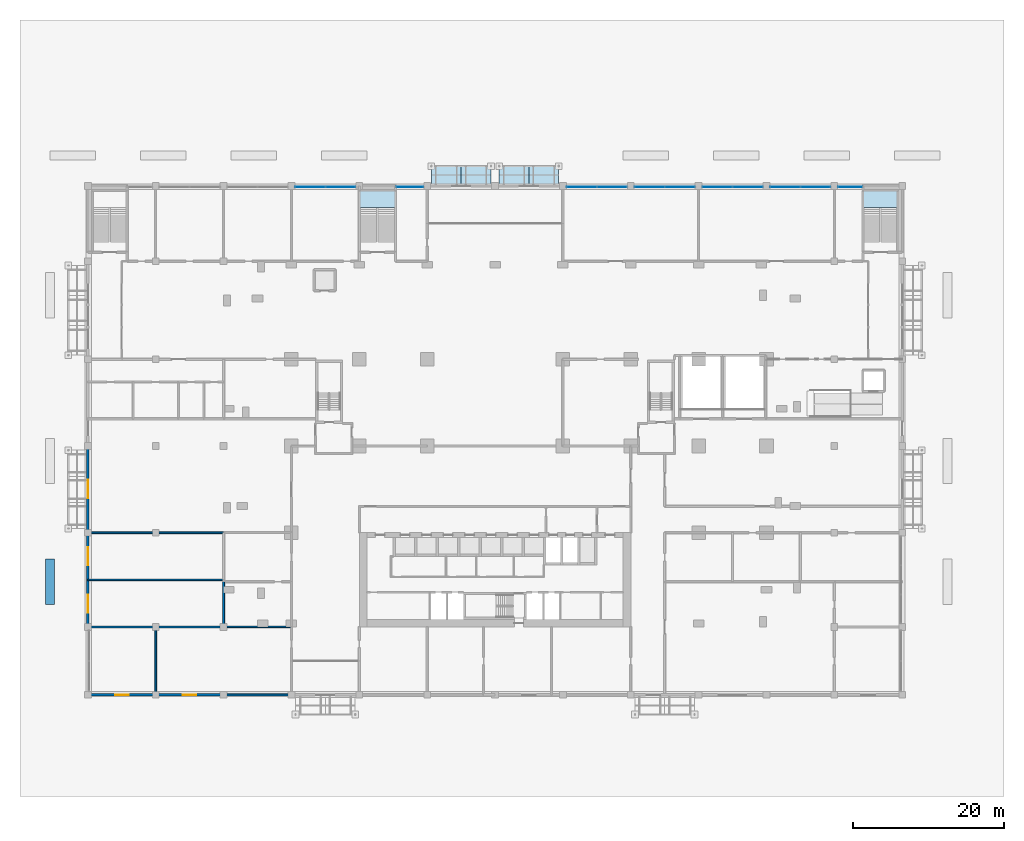
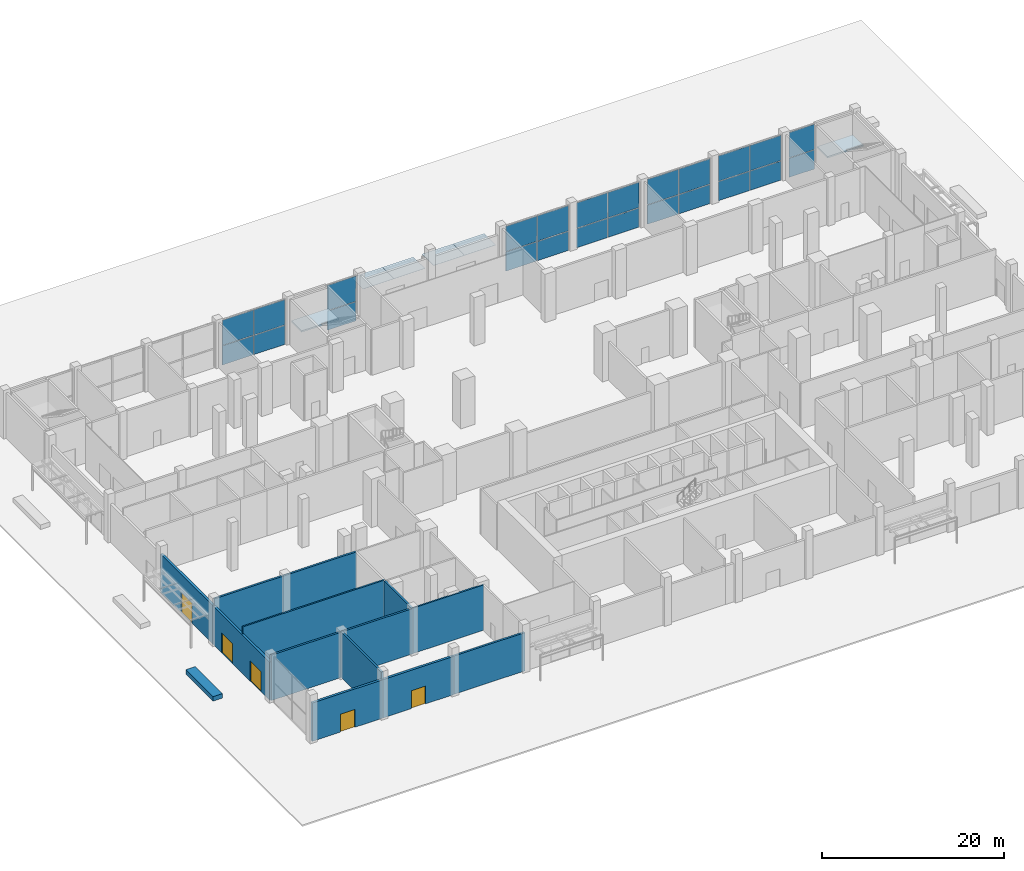
# One storey, part 28 of 39: 28 plates, 13 walls, 5 doors, 2 slabs, 5 openings, 11 elements without a shape of their own.
"""IFC4 building model written with IfcOpenShell, lengths in metres."""

from ifc_helpers import new_model, si_unit, direction, frame, frame_2d, origin, origin_with_axes, origin_2d, place, context, subcontext, project, spatial, polyline, rectangle, outline, extrude, material, layer, layer_set, type_object, element, fill, aggregate, save


model = new_model("IFC4")

# Units and contexts
model_context = context("Model", 3, precision=1e-05, world=origin(), true_north=direction((0.0, 1.0)))
body_context = subcontext(model_context, "Body", "Model", "MODEL_VIEW")
ifc_project = project(units=[si_unit("LENGTHUNIT", "METRE"), si_unit("AREAUNIT", "SQUARE_METRE"), si_unit("VOLUMEUNIT", "CUBIC_METRE"), si_unit("PLANEANGLEUNIT", "RADIAN"), si_unit("MASSUNIT", "GRAM", prefix="KILO")], contexts=[model_context])

# Site, building, storey
site_placement = place(None, origin())
site = spatial("IfcSite", under=ifc_project, at=site_placement, CompositionType="ELEMENT")
building_placement = place(site_placement, origin())
building = spatial("IfcBuilding", under=site, at=building_placement, Name="Brigalow Station Residences", CompositionType="ELEMENT")
storey_placement = place(building_placement, origin())
storey = spatial("IfcBuildingStorey", under=building, at=storey_placement, Name="L00", CompositionType="ELEMENT", Elevation=0.0)

# Curtain wall, plates
ifc_material_1 = material(Name="Laminated heat-strengthened glass", Category="glass")
ifc_layer_1 = layer(ifc_material_1, 0.02197265625)
ifc_layer_set_1 = layer_set([ifc_layer_1], Name="ENTRANCE CANOPY GLAZING CURTAIN WALL")
curtain_wall_type_1 = type_object("IfcCurtainWallType", Name="ENTRANCE CANOPY GLAZING CURTAIN WALL", PredefinedType="NOTDEFINED", material=ifc_layer_set_1)
curtain_wall_1_placement = place(storey_placement, origin())
curtain_wall_1 = element("IfcCurtainWall", 1, at=curtain_wall_1_placement, inside=storey, type_object=curtain_wall_type_1, Name="L00/canopy-cw/N-entry-e", PredefinedType="NOTDEFINED")
ifc_material_2 = material(Name="Laminated heat-strengthened glass", Category="glass")
ifc_layer_2 = layer(ifc_material_2, 0.02197265625)
ifc_layer_set_2 = layer_set([ifc_layer_2], Name="ENTRANCE CANOPY GLAZING PANEL 22")
plate_type_1 = type_object("IfcPlateType", Name="ENTRANCE CANOPY GLAZING PANEL 22", PredefinedType="CURTAIN_PANEL", material=ifc_layer_set_2)
plate_1_placement = place(storey_placement, frame((38.52490234375, 59.925048828125, 3.677978515625), z_axis=(0.0, 0.0, 1.0), x_axis=(1.0, 0.0, 0.0)))
plate_1 = element("IfcPlate", 2, at=plate_1_placement, type_object=plate_type_1, Name="L00/canopy/N-entry-e-1", PredefinedType="CURTAIN_PANEL", context=body_context, shape_type="SweptSolid", body=[
    extrude(rectangle(XDim=3.949951171875, YDim=2.550048828125, at=origin_2d()), origin(), (0.0, 0.0, 1.0), 0.02197265625),
])
plate_2_placement = place(storey_placement, frame((42.47509765625, 59.925048828125, 3.677978515625), z_axis=(0.0, 0.0, 1.0), x_axis=(1.0, 0.0, 0.0)))
plate_2 = element("IfcPlate", 3, at=plate_2_placement, type_object=plate_type_1, Name="L00/canopy/N-entry-e-2", PredefinedType="CURTAIN_PANEL", context=body_context, shape_type="SweptSolid", body=[
    extrude(rectangle(XDim=3.949951171875, YDim=2.550048828125, at=origin_2d()), origin(), (0.0, 0.0, 1.0), 0.02197265625),
])
aggregate(curtain_wall_1, [plate_1, plate_2])

curtain_wall_2_placement = place(storey_placement, origin())
curtain_wall_2 = element("IfcCurtainWall", 4, at=curtain_wall_2_placement, inside=storey, type_object=curtain_wall_type_1, Name="L00/canopy-cw/N-entry-w", PredefinedType="NOTDEFINED")
plate_3_placement = place(storey_placement, frame((29.52490234375, 59.925048828125, 3.677978515625), z_axis=(0.0, 0.0, 1.0), x_axis=(1.0, 0.0, 0.0)))
plate_3 = element("IfcPlate", 5, at=plate_3_placement, type_object=plate_type_1, Name="L00/canopy/N-entry-w-1", PredefinedType="CURTAIN_PANEL", context=body_context, shape_type="SweptSolid", body=[
    extrude(rectangle(XDim=3.949951171875, YDim=2.550048828125, at=origin_2d()), origin(), (0.0, 0.0, 1.0), 0.02197265625),
])
plate_4_placement = place(storey_placement, frame((33.47509765625, 59.925048828125, 3.677978515625), z_axis=(0.0, 0.0, 1.0), x_axis=(1.0, 0.0, 0.0)))
plate_4 = element("IfcPlate", 6, at=plate_4_placement, type_object=plate_type_1, Name="L00/canopy/N-entry-w-2", PredefinedType="CURTAIN_PANEL", context=body_context, shape_type="SweptSolid", body=[
    extrude(rectangle(XDim=3.949951171875, YDim=2.550048828125, at=origin_2d()), origin(), (0.0, 0.0, 1.0), 0.02197265625),
])
aggregate(curtain_wall_2, [plate_3, plate_4])

# Stair, slab
ifc_material_3 = material(Name="Concrete C50", Category="concrete")
stair_type_1 = type_object("IfcStairType", Name="STAIR EXIT 2087 2 FLIGHTS", PredefinedType="TWO_STRAIGHT_RUN_STAIR", material=ifc_material_3)
stair_1_placement = place(storey_placement, origin())
stair_1 = element("IfcStair", 7, at=stair_1_placement, inside=storey, type_object=stair_type_1, Name="Exit stair ST-5", PredefinedType="TWO_STRAIGHT_RUN_STAIR")
ifc_material_4 = material(Name="Concrete C50", Category="concrete")
ifc_layer_3 = layer(ifc_material_4, 0.199951171875)
ifc_layer_set_3 = layer_set([ifc_layer_3], Name="STAIR LANDING")
slab_type = type_object("IfcSlabType", Name="STAIR LANDING", PredefinedType="LANDING", material=ifc_layer_set_3)
slab_1_placement = place(storey_placement, frame((0.0, 0.0, 3.050048828125)))
slab_1 = element("IfcSlab", 8, at=slab_1_placement, type_object=slab_type, Name="ST-5 landing 1", PredefinedType="LANDING", context=body_context, shape_type="SweptSolid", body=[
    extrude(outline(polyline([(84.824951171875, 55.614990234375), (89.39990234375, 55.614990234375), (89.39990234375, 57.89990234375), (84.824951171875, 57.89990234375), (84.824951171875, 55.614990234375)])), origin(), (0.0, 0.0, 1.0), 0.199951171875),
])
aggregate(stair_1, [slab_1])

ifc_material_5 = material(Name="Concrete C50", Category="concrete")
stair_type_2 = type_object("IfcStairType", Name="STAIR EXIT 2175 2 FLIGHTS", PredefinedType="TWO_STRAIGHT_RUN_STAIR", material=ifc_material_5)
stair_2_placement = place(storey_placement, origin())
stair_2 = element("IfcStair", 9, at=stair_2_placement, inside=storey, type_object=stair_type_2, Name="Exit stair ST-6", PredefinedType="TWO_STRAIGHT_RUN_STAIR")
slab_2_placement = place(storey_placement, frame((0.0, 0.0, 3.050048828125)))
slab_2 = element("IfcSlab", 10, at=slab_2_placement, type_object=slab_type, Name="ST-6 landing 1", PredefinedType="LANDING", context=body_context, shape_type="SweptSolid", body=[
    extrude(outline(polyline([(18.02490234375, 55.614990234375), (22.77490234375, 55.614990234375), (22.77490234375, 57.89990234375), (18.02490234375, 57.89990234375), (18.02490234375, 55.614990234375)])), origin(), (0.0, 0.0, 1.0), 0.199951171875),
])
aggregate(stair_2, [slab_2])

# Curtain wall, plates
ifc_material_6 = material(Name="Aluminium", Category="aluminium")
ifc_layer_4 = layer(ifc_material_6, 0.179931640625)
ifc_layer_set_4 = layer_set([ifc_layer_4], Name="STATION CONCOURSE SHOPFRONT GLAZING CURTAIN WALL")
curtain_wall_type_2 = type_object("IfcCurtainWallType", Name="STATION CONCOURSE SHOPFRONT GLAZING CURTAIN WALL", PredefinedType="NOTDEFINED", material=ifc_layer_set_4)
curtain_wall_3_placement = place(storey_placement, origin())
curtain_wall_3 = element("IfcCurtainWall", 11, at=curtain_wall_3_placement, inside=storey, type_object=curtain_wall_type_2, Name="L00/cw/podium-W-L00-19-3", PredefinedType="NOTDEFINED")
ifc_material_7 = material(Name="Toughened laminated structural glazing, 6.1 m storey", Category="glass")
ifc_layer_5 = layer(ifc_material_7, 0.06005859375)
ifc_layer_set_5 = layer_set([ifc_layer_5], Name="STATION CONCOURSE SHOPFRONT GLAZING PANEL 60")
plate_type_2 = type_object("IfcPlateType", Name="STATION CONCOURSE SHOPFRONT GLAZING PANEL 60", PredefinedType="CURTAIN_PANEL", material=ifc_layer_set_5)
plate_5_placement = place(storey_placement, frame((83.125, 58.35009765625, 0.0), z_axis=(0.0, 0.0, 1.0), x_axis=(-1.0, 0.0, 0.0)))
plate_5 = element("IfcPlate", 12, at=plate_5_placement, type_object=plate_type_2, Name="L00/cw/podium-W-L00-19-3/P00-00", PredefinedType="CURTAIN_PANEL", context=body_context, shape_type="SweptSolid", body=[
    extrude(rectangle(XDim=3.199951171875, YDim=0.06005859375, at=origin_2d()), origin(), (0.0, 0.0, 1.0), 2.5625),
])
plate_6_placement = place(storey_placement, frame((83.125, 58.35009765625, 2.6376953125), z_axis=(0.0, 0.0, 1.0), x_axis=(-1.0, 0.0, 0.0)))
plate_6 = element("IfcPlate", 13, at=plate_6_placement, type_object=plate_type_2, Name="L00/cw/podium-W-L00-19-3/P00-01", PredefinedType="CURTAIN_PANEL", context=body_context, shape_type="SweptSolid", body=[
    extrude(rectangle(XDim=3.199951171875, YDim=0.06005859375, at=origin_2d()), origin(), (0.0, 0.0, 1.0), 3.385498046875),
])
aggregate(curtain_wall_3, [plate_5, plate_6])

curtain_wall_4_placement = place(storey_placement, origin())
curtain_wall_4 = element("IfcCurtainWall", 14, at=curtain_wall_4_placement, inside=storey, type_object=curtain_wall_type_2, Name="L00/cw/podium-W-L00-19-4", PredefinedType="NOTDEFINED")
plate_7_placement = place(storey_placement, frame((78.506103515625, 58.35009765625, 0.0), z_axis=(0.0, 0.0, 1.0), x_axis=(-1.0, 0.0, 0.0)))
plate_7 = element("IfcPlate", 15, at=plate_7_placement, type_object=plate_type_2, Name="L00/cw/podium-W-L00-19-4/P00-00", PredefinedType="CURTAIN_PANEL", context=body_context, shape_type="SweptSolid", body=[
    extrude(rectangle(XDim=3.9375, YDim=0.06005859375, at=origin_2d()), origin(), (0.0, 0.0, 1.0), 2.5625),
])
plate_8_placement = place(storey_placement, frame((78.506103515625, 58.35009765625, 2.6376953125), z_axis=(0.0, 0.0, 1.0), x_axis=(-1.0, 0.0, 0.0)))
plate_8 = element("IfcPlate", 16, at=plate_8_placement, type_object=plate_type_2, Name="L00/cw/podium-W-L00-19-4/P00-01", PredefinedType="CURTAIN_PANEL", context=body_context, shape_type="SweptSolid", body=[
    extrude(rectangle(XDim=3.9375, YDim=0.06005859375, at=origin_2d()), origin(), (0.0, 0.0, 1.0), 3.385498046875),
])
plate_9_placement = place(storey_placement, frame((74.493896484375, 58.35009765625, 0.0), z_axis=(0.0, 0.0, 1.0), x_axis=(-1.0, 0.0, 0.0)))
plate_9 = element("IfcPlate", 17, at=plate_9_placement, type_object=plate_type_2, Name="L00/cw/podium-W-L00-19-4/P01-00", PredefinedType="CURTAIN_PANEL", context=body_context, shape_type="SweptSolid", body=[
    extrude(rectangle(XDim=3.9375, YDim=0.06005859375, at=origin_2d()), origin(), (0.0, 0.0, 1.0), 2.5625),
])
plate_10_placement = place(storey_placement, frame((74.493896484375, 58.35009765625, 2.6376953125), z_axis=(0.0, 0.0, 1.0), x_axis=(-1.0, 0.0, 0.0)))
plate_10 = element("IfcPlate", 18, at=plate_10_placement, type_object=plate_type_2, Name="L00/cw/podium-W-L00-19-4/P01-01", PredefinedType="CURTAIN_PANEL", context=body_context, shape_type="SweptSolid", body=[
    extrude(rectangle(XDim=3.9375, YDim=0.06005859375, at=origin_2d()), origin(), (0.0, 0.0, 1.0), 3.385498046875),
])
aggregate(curtain_wall_4, [plate_7, plate_8, plate_9, plate_10])

curtain_wall_5_placement = place(storey_placement, origin())
curtain_wall_5 = element("IfcCurtainWall", 19, at=curtain_wall_5_placement, inside=storey, type_object=curtain_wall_type_2, Name="L00/cw/podium-W-L00-19-5", PredefinedType="NOTDEFINED")
plate_11_placement = place(storey_placement, frame((69.506103515625, 58.35009765625, 0.0), z_axis=(0.0, 0.0, 1.0), x_axis=(-1.0, 0.0, 0.0)))
plate_11 = element("IfcPlate", 20, at=plate_11_placement, type_object=plate_type_2, Name="L00/cw/podium-W-L00-19-5/P00-00", PredefinedType="CURTAIN_PANEL", context=body_context, shape_type="SweptSolid", body=[
    extrude(rectangle(XDim=3.9375, YDim=0.06005859375, at=origin_2d()), origin(), (0.0, 0.0, 1.0), 2.5625),
])
plate_12_placement = place(storey_placement, frame((69.506103515625, 58.35009765625, 2.6376953125), z_axis=(0.0, 0.0, 1.0), x_axis=(-1.0, 0.0, 0.0)))
plate_12 = element("IfcPlate", 21, at=plate_12_placement, type_object=plate_type_2, Name="L00/cw/podium-W-L00-19-5/P00-01", PredefinedType="CURTAIN_PANEL", context=body_context, shape_type="SweptSolid", body=[
    extrude(rectangle(XDim=3.9375, YDim=0.06005859375, at=origin_2d()), origin(), (0.0, 0.0, 1.0), 3.385498046875),
])
plate_13_placement = place(storey_placement, frame((65.493896484375, 58.35009765625, 0.0), z_axis=(0.0, 0.0, 1.0), x_axis=(-1.0, 0.0, 0.0)))
plate_13 = element("IfcPlate", 22, at=plate_13_placement, type_object=plate_type_2, Name="L00/cw/podium-W-L00-19-5/P01-00", PredefinedType="CURTAIN_PANEL", context=body_context, shape_type="SweptSolid", body=[
    extrude(rectangle(XDim=3.9375, YDim=0.06005859375, at=origin_2d()), origin(), (0.0, 0.0, 1.0), 2.5625),
])
plate_14_placement = place(storey_placement, frame((65.493896484375, 58.35009765625, 2.6376953125), z_axis=(0.0, 0.0, 1.0), x_axis=(-1.0, 0.0, 0.0)))
plate_14 = element("IfcPlate", 23, at=plate_14_placement, type_object=plate_type_2, Name="L00/cw/podium-W-L00-19-5/P01-01", PredefinedType="CURTAIN_PANEL", context=body_context, shape_type="SweptSolid", body=[
    extrude(rectangle(XDim=3.9375, YDim=0.06005859375, at=origin_2d()), origin(), (0.0, 0.0, 1.0), 3.385498046875),
])
aggregate(curtain_wall_5, [plate_11, plate_12, plate_13, plate_14])

curtain_wall_6_placement = place(storey_placement, origin())
curtain_wall_6 = element("IfcCurtainWall", 24, at=curtain_wall_6_placement, inside=storey, type_object=curtain_wall_type_2, Name="L00/cw/podium-W-L00-19-6", PredefinedType="NOTDEFINED")
plate_15_placement = place(storey_placement, frame((60.50634765625, 58.35009765625, 0.0), z_axis=(0.0, 0.0, 1.0), x_axis=(-1.0, 0.0, 0.0)))
plate_15 = element("IfcPlate", 25, at=plate_15_placement, type_object=plate_type_2, Name="L00/cw/podium-W-L00-19-6/P00-00", PredefinedType="CURTAIN_PANEL", context=body_context, shape_type="SweptSolid", body=[
    extrude(rectangle(XDim=3.9375, YDim=0.06005859375, at=origin_2d()), origin(), (0.0, 0.0, 1.0), 2.5625),
])
plate_16_placement = place(storey_placement, frame((60.50634765625, 58.35009765625, 2.6376953125), z_axis=(0.0, 0.0, 1.0), x_axis=(-1.0, 0.0, 0.0)))
plate_16 = element("IfcPlate", 26, at=plate_16_placement, type_object=plate_type_2, Name="L00/cw/podium-W-L00-19-6/P00-01", PredefinedType="CURTAIN_PANEL", context=body_context, shape_type="SweptSolid", body=[
    extrude(rectangle(XDim=3.9375, YDim=0.06005859375, at=origin_2d()), origin(), (0.0, 0.0, 1.0), 3.385498046875),
])
plate_17_placement = place(storey_placement, frame((56.49365234375, 58.35009765625, 0.0), z_axis=(0.0, 0.0, 1.0), x_axis=(-1.0, 0.0, 0.0)))
plate_17 = element("IfcPlate", 27, at=plate_17_placement, type_object=plate_type_2, Name="L00/cw/podium-W-L00-19-6/P01-00", PredefinedType="CURTAIN_PANEL", context=body_context, shape_type="SweptSolid", body=[
    extrude(rectangle(XDim=3.9375, YDim=0.06005859375, at=origin_2d()), origin(), (0.0, 0.0, 1.0), 2.5625),
])
plate_18_placement = place(storey_placement, frame((56.49365234375, 58.35009765625, 2.6376953125), z_axis=(0.0, 0.0, 1.0), x_axis=(-1.0, 0.0, 0.0)))
plate_18 = element("IfcPlate", 28, at=plate_18_placement, type_object=plate_type_2, Name="L00/cw/podium-W-L00-19-6/P01-01", PredefinedType="CURTAIN_PANEL", context=body_context, shape_type="SweptSolid", body=[
    extrude(rectangle(XDim=3.9375, YDim=0.06005859375, at=origin_2d()), origin(), (0.0, 0.0, 1.0), 3.385498046875),
])
aggregate(curtain_wall_6, [plate_15, plate_16, plate_17, plate_18])

curtain_wall_7_placement = place(storey_placement, origin())
curtain_wall_7 = element("IfcCurtainWall", 29, at=curtain_wall_7_placement, inside=storey, type_object=curtain_wall_type_2, Name="L00/cw/podium-W-L00-19-7", PredefinedType="NOTDEFINED")
plate_19_placement = place(storey_placement, frame((51.50634765625, 58.35009765625, 0.0), z_axis=(0.0, 0.0, 1.0), x_axis=(-1.0, 0.0, 0.0)))
plate_19 = element("IfcPlate", 30, at=plate_19_placement, type_object=plate_type_2, Name="L00/cw/podium-W-L00-19-7/P00-00", PredefinedType="CURTAIN_PANEL", context=body_context, shape_type="SweptSolid", body=[
    extrude(rectangle(XDim=3.9375, YDim=0.06005859375, at=origin_2d()), origin(), (0.0, 0.0, 1.0), 2.5625),
])
plate_20_placement = place(storey_placement, frame((51.50634765625, 58.35009765625, 2.6376953125), z_axis=(0.0, 0.0, 1.0), x_axis=(-1.0, 0.0, 0.0)))
plate_20 = element("IfcPlate", 31, at=plate_20_placement, type_object=plate_type_2, Name="L00/cw/podium-W-L00-19-7/P00-01", PredefinedType="CURTAIN_PANEL", context=body_context, shape_type="SweptSolid", body=[
    extrude(rectangle(XDim=3.9375, YDim=0.06005859375, at=origin_2d()), origin(), (0.0, 0.0, 1.0), 3.385498046875),
])
plate_21_placement = place(storey_placement, frame((47.49365234375, 58.35009765625, 0.0), z_axis=(0.0, 0.0, 1.0), x_axis=(-1.0, 0.0, 0.0)))
plate_21 = element("IfcPlate", 32, at=plate_21_placement, type_object=plate_type_2, Name="L00/cw/podium-W-L00-19-7/P01-00", PredefinedType="CURTAIN_PANEL", context=body_context, shape_type="SweptSolid", body=[
    extrude(rectangle(XDim=3.9375, YDim=0.06005859375, at=origin_2d()), origin(), (0.0, 0.0, 1.0), 2.5625),
])
plate_22_placement = place(storey_placement, frame((47.49365234375, 58.35009765625, 2.6376953125), z_axis=(0.0, 0.0, 1.0), x_axis=(-1.0, 0.0, 0.0)))
plate_22 = element("IfcPlate", 33, at=plate_22_placement, type_object=plate_type_2, Name="L00/cw/podium-W-L00-19-7/P01-01", PredefinedType="CURTAIN_PANEL", context=body_context, shape_type="SweptSolid", body=[
    extrude(rectangle(XDim=3.9375, YDim=0.06005859375, at=origin_2d()), origin(), (0.0, 0.0, 1.0), 3.385498046875),
])
aggregate(curtain_wall_7, [plate_19, plate_20, plate_21, plate_22])

curtain_wall_8_placement = place(storey_placement, origin())
curtain_wall_8 = element("IfcCurtainWall", 34, at=curtain_wall_8_placement, inside=storey, type_object=curtain_wall_type_2, Name="L00/cw/podium-W-L00-19-8", PredefinedType="NOTDEFINED")
plate_23_placement = place(storey_placement, frame((24.675048828125, 58.35009765625, 0.0), z_axis=(0.0, 0.0, 1.0), x_axis=(-1.0, 0.0, 0.0)))
plate_23 = element("IfcPlate", 35, at=plate_23_placement, type_object=plate_type_2, Name="L00/cw/podium-W-L00-19-8/P00-00", PredefinedType="CURTAIN_PANEL", context=body_context, shape_type="SweptSolid", body=[
    extrude(rectangle(XDim=3.60009765625, YDim=0.06005859375, at=origin_2d()), origin(), (0.0, 0.0, 1.0), 2.5625),
])
plate_24_placement = place(storey_placement, frame((24.675048828125, 58.35009765625, 2.6376953125), z_axis=(0.0, 0.0, 1.0), x_axis=(-1.0, 0.0, 0.0)))
plate_24 = element("IfcPlate", 36, at=plate_24_placement, type_object=plate_type_2, Name="L00/cw/podium-W-L00-19-8/P00-01", PredefinedType="CURTAIN_PANEL", context=body_context, shape_type="SweptSolid", body=[
    extrude(rectangle(XDim=3.60009765625, YDim=0.06005859375, at=origin_2d()), origin(), (0.0, 0.0, 1.0), 3.385498046875),
])
aggregate(curtain_wall_8, [plate_23, plate_24])

curtain_wall_9_placement = place(storey_placement, origin())
curtain_wall_9 = element("IfcCurtainWall", 37, at=curtain_wall_9_placement, inside=storey, type_object=curtain_wall_type_2, Name="L00/cw/podium-W-L00-19-9", PredefinedType="NOTDEFINED")
plate_25_placement = place(storey_placement, frame((15.506103515625, 58.35009765625, 0.0), z_axis=(0.0, 0.0, 1.0), x_axis=(-1.0, 0.0, 0.0)))
plate_25 = element("IfcPlate", 38, at=plate_25_placement, type_object=plate_type_2, Name="L00/cw/podium-W-L00-19-9/P00-00", PredefinedType="CURTAIN_PANEL", context=body_context, shape_type="SweptSolid", body=[
    extrude(rectangle(XDim=3.9375, YDim=0.06005859375, at=origin_2d()), origin(), (0.0, 0.0, 1.0), 2.5625),
])
plate_26_placement = place(storey_placement, frame((15.506103515625, 58.35009765625, 2.6376953125), z_axis=(0.0, 0.0, 1.0), x_axis=(-1.0, 0.0, 0.0)))
plate_26 = element("IfcPlate", 39, at=plate_26_placement, type_object=plate_type_2, Name="L00/cw/podium-W-L00-19-9/P00-01", PredefinedType="CURTAIN_PANEL", context=body_context, shape_type="SweptSolid", body=[
    extrude(rectangle(XDim=3.9375, YDim=0.06005859375, at=origin_2d()), origin(), (0.0, 0.0, 1.0), 3.385498046875),
])
plate_27_placement = place(storey_placement, frame((11.49365234375, 58.35009765625, 0.0), z_axis=(0.0, 0.0, 1.0), x_axis=(-1.0, 0.0, 0.0)))
plate_27 = element("IfcPlate", 40, at=plate_27_placement, type_object=plate_type_2, Name="L00/cw/podium-W-L00-19-9/P01-00", PredefinedType="CURTAIN_PANEL", context=body_context, shape_type="SweptSolid", body=[
    extrude(rectangle(XDim=3.9375, YDim=0.06005859375, at=origin_2d()), origin(), (0.0, 0.0, 1.0), 2.5625),
])
plate_28_placement = place(storey_placement, frame((11.49365234375, 58.35009765625, 2.6376953125), z_axis=(0.0, 0.0, 1.0), x_axis=(-1.0, 0.0, 0.0)))
plate_28 = element("IfcPlate", 41, at=plate_28_placement, type_object=plate_type_2, Name="L00/cw/podium-W-L00-19-9/P01-01", PredefinedType="CURTAIN_PANEL", context=body_context, shape_type="SweptSolid", body=[
    extrude(rectangle(XDim=3.9375, YDim=0.06005859375, at=origin_2d()), origin(), (0.0, 0.0, 1.0), 3.385498046875),
])
aggregate(curtain_wall_9, [plate_25, plate_26, plate_27, plate_28])

# Wall, opening, door
ifc_material_8 = material(Name="Glass and aluminium shopfront on a masonry base", Category="masonry")
ifc_layer_6 = layer(ifc_material_8, 0.300048828125)
ifc_layer_set_6 = layer_set([ifc_layer_6], Name="ENTRANCE INFILL 300")
wall_type_1 = type_object("IfcWallType", Name="ENTRANCE INFILL 300", PredefinedType="SOLIDWALL", material=ifc_layer_set_6)
wall_1_placement = place(storey_placement, frame((-9.0, -9.0, 0.0), z_axis=(0.0, 0.0, 1.0), x_axis=(1.0, 0.0, 0.0)))
wall_1 = element("IfcWall", 42, at=wall_1_placement, inside=storey, type_object=wall_type_1, Name="Entrance Infill 300 Bicycle Store / OUT", PredefinedType="SOLIDWALL", context=body_context, shape_type="SweptSolid", body=[
    extrude(rectangle(XDim=9.0, YDim=0.300048828125, at=frame_2d((4.5, 0.0))), origin(), (0.0, 0.0, 1.0), 5.14794921875),
])
opening_1_placement = place(wall_1_placement, frame((3.60009765625, 0.0, 0.0)))
opening_1 = element("IfcOpeningElement", 43, at=opening_1_placement, cuts=wall_1, Name="Opening D-7102", PredefinedType="OPENING", context=body_context, shape_type="SweptSolid", body=[
    extrude(rectangle(XDim=1.800048828125, YDim=2.39990234375, at=frame_2d((0.89990234375, 1.199951171875))), frame((0.0, 0.16015625, 0.0), z_axis=(0.0, -1.0, 0.0), x_axis=(1.0, 0.0, 0.0)), (0.0, 0.0, 1.0), 0.320068359375),
])
ifc_material_9 = material(Name="Timber door leaves in steel frame", Category="steel")
door_type_1 = type_object("IfcDoorType", Name="DOOR DOUBLE 1800", OperationType="DOUBLE_DOOR_SINGLE_SWING", PredefinedType="DOOR", material=ifc_material_9)
door_1_placement = place(opening_1_placement, frame((1.800048828125, 0.0, 0.0), z_axis=(0.0, 0.0, 1.0), x_axis=(-1.0, 0.0, 0.0)))
door_1 = element("IfcDoor", 44, at=door_1_placement, inside=storey, type_object=door_type_1, Name="Bicycle store door", OperationType="DOUBLE_DOOR_SINGLE_SWING", OverallHeight=2.39990234375, OverallWidth=1.800048828125, PredefinedType="DOOR", context=body_context, shape_type="SweptSolid", body=[
    extrude(rectangle(XDim=1.800048828125, YDim=2.39990234375, at=frame_2d((0.89990234375, 1.199951171875))), frame((0.0, 0.02490234375, 0.0), z_axis=(0.0, -1.0, 0.0), x_axis=(1.0, 0.0, 0.0)), (0.0, 0.0, 1.0), 0.050048828125),
])
fill(opening_1, door_1)

wall_2_placement = place(storey_placement, frame((-18.0, -9.0, 0.0), z_axis=(0.0, 0.0, 1.0), x_axis=(1.0, 0.0, 0.0)))
wall_2 = element("IfcWall", 45, at=wall_2_placement, inside=storey, type_object=wall_type_1, Name="Entrance Infill 300 Refuse Room / OUT", PredefinedType="SOLIDWALL", context=body_context, shape_type="SweptSolid", body=[
    extrude(rectangle(XDim=9.0, YDim=0.300048828125, at=frame_2d((4.5, 0.0))), origin(), (0.0, 0.0, 1.0), 5.14794921875),
])
opening_2_placement = place(wall_2_placement, frame((3.60009765625, 0.0, 0.0)))
opening_2 = element("IfcOpeningElement", 46, at=opening_2_placement, cuts=wall_2, Name="Opening D-7101", PredefinedType="OPENING", context=body_context, shape_type="SweptSolid", body=[
    extrude(rectangle(XDim=1.800048828125, YDim=2.39990234375, at=frame_2d((0.89990234375, 1.199951171875))), frame((0.0, 0.16015625, 0.0), z_axis=(0.0, -1.0, 0.0), x_axis=(1.0, 0.0, 0.0)), (0.0, 0.0, 1.0), 0.320068359375),
])
ifc_material_10 = material(Name="Galvanised steel door leaves in steel frame", Category="steel")
door_type_2 = type_object("IfcDoorType", Name="SERVICE DOOR DOUBLE 1800", OperationType="DOUBLE_DOOR_SINGLE_SWING", PredefinedType="DOOR", material=ifc_material_10)
door_2_placement = place(opening_2_placement, frame((1.800048828125, 0.0, 0.0), z_axis=(0.0, 0.0, 1.0), x_axis=(-1.0, 0.0, 0.0)))
door_2 = element("IfcDoor", 47, at=door_2_placement, inside=storey, type_object=door_type_2, Name="Refuse room service door", OperationType="DOUBLE_DOOR_SINGLE_SWING", OverallHeight=2.39990234375, OverallWidth=1.800048828125, PredefinedType="DOOR", context=body_context, shape_type="SweptSolid", body=[
    extrude(rectangle(XDim=1.800048828125, YDim=2.39990234375, at=frame_2d((0.89990234375, 1.199951171875))), frame((0.0, 0.02490234375, 0.0), z_axis=(0.0, -1.0, 0.0), x_axis=(1.0, 0.0, 0.0)), (0.0, 0.0, 1.0), 0.050048828125),
])
fill(opening_2, door_2)

wall_3_placement = place(storey_placement, frame((-18.0, 12.5, 0.0), z_axis=(0.0, 0.0, 1.0), x_axis=(0.0, 1.0, 0.0)))
wall_3 = element("IfcWall", 48, at=wall_3_placement, inside=storey, type_object=wall_type_1, Name="Entrance Infill 300 West Exit Lobby / OUT", PredefinedType="SOLIDWALL", context=body_context, shape_type="SweptSolid", body=[
    extrude(rectangle(XDim=11.5, YDim=0.300048828125, at=frame_2d((5.75, 0.0))), origin(), (0.0, 0.0, 1.0), 5.14794921875),
])
opening_3_placement = place(wall_3_placement, frame((4.60009765625, 0.0, 0.0)))
opening_3 = element("IfcOpeningElement", 49, at=opening_3_placement, cuts=wall_3, Name="Opening D-7109", PredefinedType="OPENING", context=body_context, shape_type="SweptSolid", body=[
    extrude(rectangle(XDim=2.39990234375, YDim=2.699951171875, at=frame_2d((1.199951171875, 1.35009765625))), frame((0.0, 0.16015625, 0.0), z_axis=(0.0, -1.0, 0.0), x_axis=(1.0, 0.0, 0.0)), (0.0, 0.0, 1.0), 0.320068359375),
])
ifc_material_11 = material(Name="Fire-rated glass leaves in steel frame", Category="steel")
door_type_3 = type_object("IfcDoorType", Name="DOOR DOUBLE 2400 GLAZED FIRE", OperationType="DOUBLE_DOOR_SINGLE_SWING", PredefinedType="DOOR", material=ifc_material_11)
door_3_placement = place(opening_3_placement, origin())
door_3 = element("IfcDoor", 50, at=door_3_placement, inside=storey, type_object=door_type_3, Name="West exit lobby door", OperationType="DOUBLE_DOOR_SINGLE_SWING", OverallHeight=2.699951171875, OverallWidth=2.39990234375, PredefinedType="DOOR", context=body_context, shape_type="SweptSolid", body=[
    extrude(rectangle(XDim=2.39990234375, YDim=2.699951171875, at=frame_2d((1.199951171875, 1.35009765625))), frame((0.0, 0.02490234375, 0.0), z_axis=(0.0, -1.0, 0.0), x_axis=(1.0, 0.0, 0.0)), (0.0, 0.0, 1.0), 0.050048828125),
])
fill(opening_3, door_3)

# Wall, openings, doors
wall_4_placement = place(storey_placement, frame((-18.0, 0.0, 0.0), z_axis=(0.0, 0.0, 1.0), x_axis=(0.0, 1.0, 0.0)))
wall_4 = element("IfcWall", 51, at=wall_4_placement, inside=storey, type_object=wall_type_1, Name="Entrance Infill 300 Retail Unit 2 / OUT", PredefinedType="SOLIDWALL", context=body_context, shape_type="SweptSolid", body=[
    extrude(rectangle(XDim=12.5, YDim=0.300048828125, at=frame_2d((6.25, 0.0))), origin(), (0.0, 0.0, 1.0), 5.14794921875),
])
opening_4_placement = place(wall_4_placement, frame((1.89990234375, 0.0, 0.0)))
opening_4 = element("IfcOpeningElement", 52, at=opening_4_placement, cuts=wall_4, Name="Opening D-7107", PredefinedType="OPENING", context=body_context, shape_type="SweptSolid", body=[
    extrude(rectangle(XDim=2.39990234375, YDim=2.699951171875, at=frame_2d((1.199951171875, 1.35009765625))), frame((0.0, 0.16015625, 0.0), z_axis=(0.0, -1.0, 0.0), x_axis=(1.0, 0.0, 0.0)), (0.0, 0.0, 1.0), 0.320068359375),
])
opening_5_placement = place(wall_4_placement, frame((8.199951171875, 0.0, 0.0)))
opening_5 = element("IfcOpeningElement", 53, at=opening_5_placement, cuts=wall_4, Name="Opening D-7108", PredefinedType="OPENING", context=body_context, shape_type="SweptSolid", body=[
    extrude(rectangle(XDim=2.39990234375, YDim=2.699951171875, at=frame_2d((1.199951171875, 1.35009765625))), frame((0.0, 0.16015625, 0.0), z_axis=(0.0, -1.0, 0.0), x_axis=(1.0, 0.0, 0.0)), (0.0, 0.0, 1.0), 0.320068359375),
])
ifc_material_12 = material(Name="Toughened glass leaves in aluminium frame", Category="aluminium")
door_type_4 = type_object("IfcDoorType", Name="DOOR DOUBLE 2400 GLAZED", OperationType="DOUBLE_DOOR_SINGLE_SWING", PredefinedType="DOOR", material=ifc_material_12)
door_4_placement = place(opening_4_placement, origin())
door_4 = element("IfcDoor", 54, at=door_4_placement, inside=storey, type_object=door_type_4, Name="Retail unit 2 entrance door", OperationType="DOUBLE_DOOR_SINGLE_SWING", OverallHeight=2.699951171875, OverallWidth=2.39990234375, PredefinedType="DOOR", context=body_context, shape_type="SweptSolid", body=[
    extrude(rectangle(XDim=2.39990234375, YDim=2.699951171875, at=frame_2d((1.199951171875, 1.35009765625))), frame((0.0, 0.02490234375, 0.0), z_axis=(0.0, -1.0, 0.0), x_axis=(1.0, 0.0, 0.0)), (0.0, 0.0, 1.0), 0.050048828125),
])
fill(opening_4, door_4)
door_5_placement = place(opening_5_placement, origin())
door_5 = element("IfcDoor", 55, at=door_5_placement, inside=storey, type_object=door_type_4, Name="Retail unit 1 entrance door", OperationType="DOUBLE_DOOR_SINGLE_SWING", OverallHeight=2.699951171875, OverallWidth=2.39990234375, PredefinedType="DOOR", context=body_context, shape_type="SweptSolid", body=[
    extrude(rectangle(XDim=2.39990234375, YDim=2.699951171875, at=frame_2d((1.199951171875, 1.35009765625))), frame((0.0, 0.02490234375, 0.0), z_axis=(0.0, -1.0, 0.0), x_axis=(1.0, 0.0, 0.0)), (0.0, 0.0, 1.0), 0.050048828125),
])
fill(opening_5, door_5)

# Walls
ifc_material_13 = material(Name="Fire-rated plasterboard on steel studs", Category="steel")
ifc_layer_7 = layer(ifc_material_13, 0.25)
ifc_layer_set_7 = layer_set([ifc_layer_7], Name="FIRE PARTITION 250")
wall_type_2 = type_object("IfcWallType", Name="FIRE PARTITION 250", PredefinedType="PARTITIONING", material=ifc_layer_set_7)
for number, where, z_axis, x_axis, name in (
    (56, (-9.0, -9.0, 0.0), (0.0, 0.0, 1.0), (0.0, 1.0, 0.0), "Fire Partition 250 Refuse Room / Bicycle Store"),
    (57, (-18.0, 0.0, 0.0), (0.0, 0.0, 1.0), (1.0, 0.0, 0.0), "Fire Partition 250 Refuse Room / Retail Unit 2"),
    (58, (-9.0, 0.0, 0.0), (0.0, 0.0, 1.0), (1.0, 0.0, 0.0), "Fire Partition 250 Bicycle Store / Retail Unit 2"),
):
    element("IfcWall", number, at=place(storey_placement, frame(where, z_axis=z_axis, x_axis=x_axis)), inside=storey, type_object=wall_type_2, Name=name, PredefinedType="PARTITIONING", context=body_context, shape_type="SweptSolid", body=[
        extrude(rectangle(XDim=9.0, YDim=0.25, at=frame_2d((4.5, 0.0))), origin(), (0.0, 0.0, 1.0), 6.097900390625),
    ])
wall_5_placement = place(storey_placement, frame((0.0, 0.0, 0.0), z_axis=(0.0, 0.0, 1.0), x_axis=(0.0, 1.0, 0.0)))
element("IfcWall", 59, at=wall_5_placement, inside=storey, type_object=wall_type_2, Name="Fire Partition 250 Mail And Parcel Room / Retail Unit 2", PredefinedType="PARTITIONING", context=body_context, shape_type="SweptSolid", body=[
    extrude(rectangle(XDim=6.0, YDim=0.25, at=frame_2d((3.0, 0.0))), origin(), (0.0, 0.0, 1.0), 6.097900390625),
])
wall_6_placement = place(storey_placement, frame((-18.0, 12.5, 0.0), z_axis=(0.0, 0.0, 1.0), x_axis=(1.0, 0.0, 0.0)))
element("IfcWall", 60, at=wall_6_placement, inside=storey, type_object=wall_type_2, Name="Fire Partition 250 Retail Unit 1 / West Exit Lobby", PredefinedType="PARTITIONING", context=body_context, shape_type="SweptSolid", body=[
    extrude(rectangle(XDim=18.0, YDim=0.25, at=frame_2d((9.0, 0.0))), origin(), (0.0, 0.0, 1.0), 6.097900390625),
])
wall_7_placement = place(storey_placement, frame((0.0, -9.0, 0.0), z_axis=(0.0, 0.0, 1.0), x_axis=(1.0, 0.0, 0.0)))
element("IfcWall", 61, at=wall_7_placement, inside=storey, type_object=wall_type_2, Name="Fire Partition 250 Bicycle Store / OUT", PredefinedType="PARTITIONING", context=body_context, shape_type="SweptSolid", body=[
    extrude(rectangle(XDim=9.0, YDim=0.25, at=frame_2d((4.5, 0.0))), origin(), (0.0, 0.0, 1.0), 5.14794921875),
])
ifc_material_14 = material(Name="Plasterboard on steel studs with acoustic insulation", Category="steel")
ifc_layer_8 = layer(ifc_material_14, 0.199951171875)
ifc_layer_set_8 = layer_set([ifc_layer_8], Name="PARTITION 200")
wall_type_3 = type_object("IfcWallType", Name="PARTITION 200", PredefinedType="PARTITIONING", material=ifc_layer_set_8)
wall_8_placement = place(storey_placement, origin_with_axes())
element("IfcWall", 62, at=wall_8_placement, inside=storey, type_object=wall_type_3, Name="Partition 200 Bicycle Store / Mail And Parcel Room", PredefinedType="PARTITIONING", context=body_context, shape_type="SweptSolid", body=[
    extrude(rectangle(XDim=9.0, YDim=0.199951171875, at=frame_2d((4.5, 0.0))), origin(), (0.0, 0.0, 1.0), 6.097900390625),
])
wall_9_placement = place(storey_placement, frame((-18.0, 6.25, 0.0), z_axis=(0.0, 0.0, 1.0), x_axis=(1.0, 0.0, 0.0)))
element("IfcWall", 63, at=wall_9_placement, inside=storey, type_object=wall_type_3, Name="Partition 200 Retail Unit 2 / Retail Unit 1", PredefinedType="PARTITIONING", context=body_context, shape_type="SweptSolid", body=[
    extrude(rectangle(XDim=18.0, YDim=0.199951171875, at=frame_2d((9.0, 0.0))), origin(), (0.0, 0.0, 1.0), 6.097900390625),
])
ifc_material_15 = material(Name="Concrete C50", Category="concrete")
ifc_layer_9 = layer(ifc_material_15, 1.199951171875)
ifc_layer_set_9 = layer_set([ifc_layer_9], Name="PLANTER 1200")
wall_type_4 = type_object("IfcWallType", Name="PLANTER 1200", PredefinedType="USERDEFINED", material=ifc_layer_set_9)
wall_10_placement = place(storey_placement, frame((-23.0, 3.0, 0.0), z_axis=(0.0, 0.0, 1.0), x_axis=(0.0, 1.0, 0.0)))
element("IfcWall", 64, at=wall_10_placement, inside=storey, type_object=wall_type_4, Name="Planter WEST-1", ObjectType="PLANTER", PredefinedType="USERDEFINED", context=body_context, shape_type="SweptSolid", body=[
    extrude(rectangle(XDim=6.0, YDim=1.199951171875, at=frame_2d((3.0, 0.0))), origin(), (0.0, 0.0, 1.0), 0.60009765625),
])

save(model, "model.ifc")
